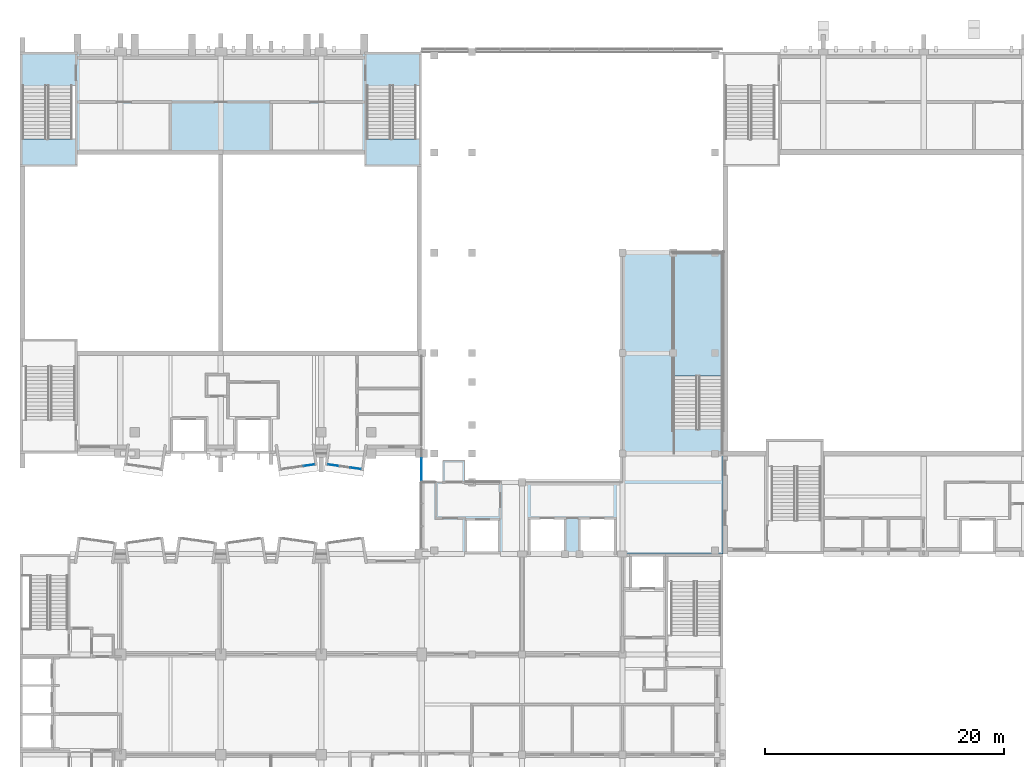
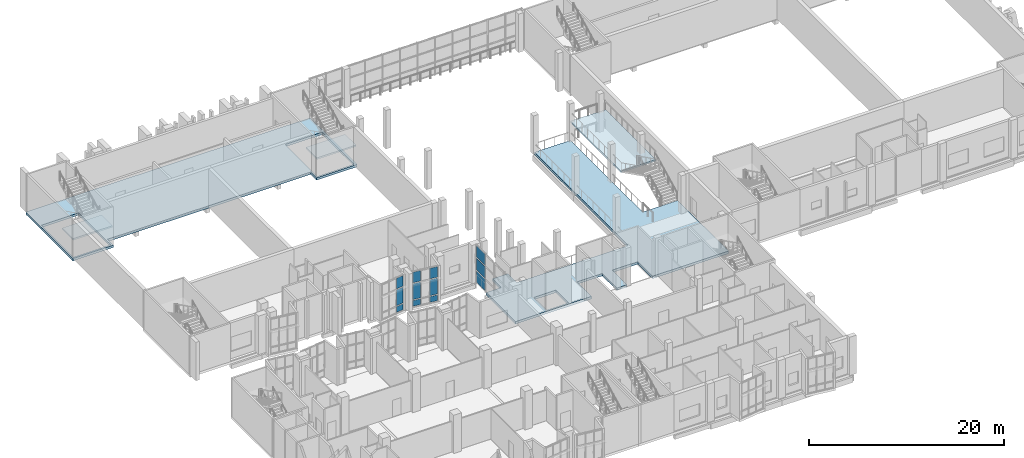
# One storey, part 23 of 91: 12 plates, 5 slabs, 6 elements without a shape of their own.
"""IFC4 building model written with IfcOpenShell, lengths in metres."""

from ifc_helpers import new_model, si_unit, direction, frame, origin, origin_2d, place, context, subcontext, project, spatial, polyline, rectangle, outline, extrude, material, layer, layer_set, type_object, element, aggregate, save


model = new_model("IFC4")

# Units and contexts
model_context = context("Model", 3, precision=1e-05, world=origin(), true_north=direction((0.0, 1.0)))
body_context = subcontext(model_context, "Body", "Model", "MODEL_VIEW")
ifc_project = project(units=[si_unit("LENGTHUNIT", "METRE"), si_unit("AREAUNIT", "SQUARE_METRE"), si_unit("VOLUMEUNIT", "CUBIC_METRE"), si_unit("PLANEANGLEUNIT", "RADIAN"), si_unit("MASSUNIT", "GRAM", prefix="KILO")], contexts=[model_context])

# Site, building, storey
site_placement = place(None, origin())
site = spatial("IfcSite", under=ifc_project, at=site_placement, CompositionType="ELEMENT")
building_placement = place(site_placement, origin())
building = spatial("IfcBuilding", under=site, at=building_placement, Name="Kiln Court Media Centre", CompositionType="ELEMENT")
storey_placement = place(building_placement, frame((0.0, 0.0, 5.39990234375)))
storey = spatial("IfcBuildingStorey", under=building, at=storey_placement, Name="L01", CompositionType="ELEMENT", Elevation=5.39990234375)

# Slabs
ifc_material_1 = material(Name="Concrete C30/37", Category="concrete")
ifc_layer_1 = layer(ifc_material_1, 0.300048828125)
ifc_layer_set_1 = layer_set([ifc_layer_1], Name="Concrete C30/37 floor slab 300")
slab_type_1 = type_object("IfcSlabType", Name="Concrete C30/37 floor slab 300", PredefinedType="FLOOR", material=ifc_layer_set_1)
slab_1_placement = place(storey_placement, frame((0.0, 0.0, -0.2998046875)))
element("IfcSlab", 1, at=slab_1_placement, inside=storey, type_object=slab_type_1, Name="L01-SL-1003", PredefinedType="FLOOR", context=body_context, shape_type="SweptSolid", body=[
    extrude(outline(polyline([(0.0, 57.60009765625), (0.0, 67.199951171875), (33.60009765625, 67.199951171875), (33.60009765625, 57.60009765625), (28.800048828125, 57.60009765625), (28.800048828125, 58.800048828125), (4.800048828125, 58.800048828125), (4.800048828125, 57.60009765625), (0.0, 57.60009765625)]), holes=[polyline([(0.199951171875, 57.800048828125), (4.60009765625, 57.800048828125), (4.60009765625, 64.360107421875), (0.199951171875, 64.360107421875), (0.199951171875, 57.800048828125)]), polyline([(29.0, 57.800048828125), (33.39990234375, 57.800048828125), (33.39990234375, 64.360107421875), (29.0, 64.360107421875), (29.0, 57.800048828125)])]), origin(), (0.0, 0.0, 1.0), 0.2998046875),
])
slab_2_placement = place(storey_placement, frame((0.0, 0.0, -0.2998046875)))
element("IfcSlab", 2, at=slab_2_placement, inside=storey, type_object=slab_type_1, Name="L01-SL-1004", PredefinedType="FLOOR", context=body_context, shape_type="SweptSolid", body=[
    extrude(outline(polyline([(33.60009765625, 25.199951171875), (33.60009765625, 31.199951171875), (35.39990234375, 31.199951171875), (35.39990234375, 33.0), (37.199951171875, 33.0), (37.199951171875, 31.199951171875), (50.39990234375, 31.199951171875), (50.39990234375, 50.39990234375), (54.64990234375, 50.39990234375), (54.64990234375, 35.639892578125), (58.800048828125, 35.639892578125), (58.800048828125, 25.199951171875), (49.800048828125, 25.199951171875), (49.800048828125, 28.199951171875), (46.800048828125, 28.199951171875), (46.800048828125, 25.199951171875), (45.60009765625, 25.199951171875), (45.60009765625, 28.199951171875), (42.60009765625, 28.199951171875), (42.60009765625, 25.199951171875), (33.60009765625, 25.199951171875)]), holes=[polyline([(37.39990234375, 25.39990234375), (40.0, 25.39990234375), (40.0, 28.0), (37.39990234375, 28.0), (37.39990234375, 25.39990234375)])]), origin(), (0.0, 0.0, 1.0), 0.2998046875),
])

# Stair, slab
ifc_material_2 = material(Name="Concrete C40/50", Category="concrete")
stair_type = type_object("IfcStairType", Name="Concrete C40/50 dog-leg stair 2000 wide, 150 riser", PredefinedType="HALF_TURN_STAIR", material=ifc_material_2)
stair_1_placement = place(storey_placement, origin())
stair_1 = element("IfcStair", 3, at=stair_1_placement, inside=storey, type_object=stair_type, Name="ST-07 L01", PredefinedType="HALF_TURN_STAIR")
ifc_material_3 = material(Name="Concrete C40/50", Category="concrete")
ifc_layer_2 = layer(ifc_material_3, 0.199951171875)
ifc_layer_set_2 = layer_set([ifc_layer_2], Name="Concrete C40/50 stair landing 200")
slab_type_2 = type_object("IfcSlabType", Name="Concrete C40/50 stair landing 200", PredefinedType="LANDING", material=ifc_layer_set_2)
slab_3_placement = place(storey_placement, frame((0.0, 0.0, 2.2001953125)))
slab_3 = element("IfcSlab", 4, at=slab_3_placement, type_object=slab_type_2, Name="L01-ST-5006 landing 5006", PredefinedType="LANDING", context=body_context, shape_type="SweptSolid", body=[
    extrude(outline(polyline([(0.080078125, 59.89990234375), (0.080078125, 57.679931640625), (4.719970703125, 57.679931640625), (4.719970703125, 59.89990234375), (0.080078125, 59.89990234375)])), origin(), (0.0, 0.0, 1.0), 0.199951171875),
])
aggregate(stair_1, [slab_3])

stair_2_placement = place(storey_placement, origin())
stair_2 = element("IfcStair", 5, at=stair_2_placement, inside=storey, type_object=stair_type, Name="ST-08 L01", PredefinedType="HALF_TURN_STAIR")
slab_4_placement = place(storey_placement, frame((0.0, 0.0, 2.2001953125)))
slab_4 = element("IfcSlab", 6, at=slab_4_placement, type_object=slab_type_2, Name="L01-ST-5007 landing 5007", PredefinedType="LANDING", context=body_context, shape_type="SweptSolid", body=[
    extrude(outline(polyline([(28.8798828125, 59.89990234375), (28.8798828125, 57.679931640625), (33.52001953125, 57.679931640625), (33.52001953125, 59.89990234375), (28.8798828125, 59.89990234375)])), origin(), (0.0, 0.0, 1.0), 0.199951171875),
])
aggregate(stair_2, [slab_4])

stair_3_placement = place(storey_placement, origin())
stair_3 = element("IfcStair", 7, at=stair_3_placement, inside=storey, type_object=stair_type, Name="ST-F1 L01", PredefinedType="HALF_TURN_STAIR")
slab_5_placement = place(storey_placement, frame((0.0, 0.0, 2.2001953125)))
slab_5 = element("IfcSlab", 8, at=slab_5_placement, type_object=slab_type_2, Name="L01-ST-5017 landing 5017", PredefinedType="LANDING", context=body_context, shape_type="SweptSolid", body=[
    extrude(outline(polyline([(58.800048828125, 40.10009765625), (58.800048828125, 50.39990234375), (54.64990234375, 50.39990234375), (54.64990234375, 40.10009765625), (58.800048828125, 40.10009765625)])), origin(), (0.0, 0.0, 1.0), 0.199951171875),
])
aggregate(stair_3, [slab_5])

# Curtain wall, plate
ifc_material_4 = material(Name="Aluminium 6063-T6", Category="aluminium")
ifc_layer_3 = layer(ifc_material_4, 0.1201171875)
ifc_layer_set_3 = layer_set([ifc_layer_3], Name="Aluminium unitised bay curtain wall")
curtain_wall_type_1 = type_object("IfcCurtainWallType", Name="Aluminium unitised bay curtain wall", PredefinedType="USERDEFINED", material=ifc_layer_set_3)
curtain_wall_1_placement = place(storey_placement, origin())
curtain_wall_1 = element("IfcCurtainWall", 9, at=curtain_wall_1_placement, inside=storey, type_object=curtain_wall_type_1, Name="BAY V4-S-L01-06 front", ObjectType="UNITISED CURTAIN WALL", PredefinedType="USERDEFINED")
ifc_material_5 = material(Name="Aluminium insulated spandrel", Category="aluminium")
ifc_layer_4 = layer(ifc_material_5, 0.028076171875)
ifc_layer_set_4 = layer_set([ifc_layer_4], Name="Insulated spandrel panel 28")
plate_type_1 = type_object("IfcPlateType", Name="Insulated spandrel panel 28", PredefinedType="CURTAIN_PANEL", material=ifc_layer_set_4)
plate_1_placement = place(storey_placement, frame((24.1884765625, 32.621826171875, 0.1201171875), z_axis=(0.0, 0.0, 1.0), x_axis=(0.990269562409, 0.139162472554, 0.0)))
plate_1 = element("IfcPlate", 10, at=plate_1_placement, type_object=plate_type_1, Name="CW1-02 panel 3.1", PredefinedType="CURTAIN_PANEL", context=body_context, shape_type="SweptSolid", body=[
    extrude(rectangle(XDim=0.86669921875, YDim=0.028076171875, at=origin_2d()), origin(), (0.0, 0.0, 1.0), 0.719970703125),
])

# Curtain wall, plates
curtain_wall_2_placement = place(storey_placement, origin())
curtain_wall_2 = element("IfcCurtainWall", 11, at=curtain_wall_2_placement, inside=storey, type_object=curtain_wall_type_1, Name="BAY V4-S-L01-07 front", ObjectType="UNITISED CURTAIN WALL", PredefinedType="USERDEFINED")
plate_2_placement = place(storey_placement, frame((26.211669921875, 32.621826171875, 0.1201171875), z_axis=(0.0, 0.0, 1.0), x_axis=(0.990269562409, -0.139162472554, 0.0)))
plate_2 = element("IfcPlate", 12, at=plate_2_placement, type_object=plate_type_1, Name="CW1-03 panel 1.1", PredefinedType="CURTAIN_PANEL", context=body_context, shape_type="SweptSolid", body=[
    extrude(rectangle(XDim=0.86669921875, YDim=0.028076171875, at=origin_2d()), origin(), (0.0, 0.0, 1.0), 0.719970703125),
])
plate_3_placement = place(storey_placement, frame((28.07666015625, 32.35986328125, 0.1201171875), z_axis=(0.0, 0.0, 1.0), x_axis=(0.990269562409, -0.139162472554, 0.0)))
plate_3 = element("IfcPlate", 13, at=plate_3_placement, type_object=plate_type_1, Name="CW1-03 panel 3.1", PredefinedType="CURTAIN_PANEL", context=body_context, shape_type="SweptSolid", body=[
    extrude(rectangle(XDim=0.86669921875, YDim=0.028076171875, at=origin_2d()), origin(), (0.0, 0.0, 1.0), 0.719970703125),
])

ifc_material_6 = material(Name="Aluminium 6063-T6", Category="aluminium")
ifc_layer_5 = layer(ifc_material_6, 0.1201171875)
ifc_layer_set_5 = layer_set([ifc_layer_5], Name="Aluminium stick curtain wall, gallery")
curtain_wall_type_2 = type_object("IfcCurtainWallType", Name="Aluminium stick curtain wall, gallery", PredefinedType="USERDEFINED", material=ifc_layer_set_5)
curtain_wall_3_placement = place(storey_placement, origin())
curtain_wall_3 = element("IfcCurtainWall", 14, at=curtain_wall_3_placement, inside=storey, type_object=curtain_wall_type_2, Name="Foyer west glazing L01", ObjectType="STICK CURTAIN WALL", PredefinedType="USERDEFINED")
ifc_material_7 = material(Name="Laminated low-E glazing", Category="glass")
ifc_layer_6 = layer(ifc_material_7, 0.033935546875)
ifc_layer_set_6 = layer_set([ifc_layer_6], Name="Laminated low-E glazed panel 34")
plate_type_2 = type_object("IfcPlateType", Name="Laminated low-E glazed panel 34", PredefinedType="CURTAIN_PANEL", material=ifc_layer_set_6)
plate_4_placement = place(storey_placement, frame((33.60009765625, 32.27880859375, 0.14013671875), z_axis=(0.0, 0.0, 1.0), x_axis=(0.0, 1.0, 0.0)))
plate_4 = element("IfcPlate", 15, at=plate_4_placement, type_object=plate_type_2, Name="CW1-62 panel 4.1", PredefinedType="CURTAIN_PANEL", context=body_context, shape_type="SweptSolid", body=[
    extrude(rectangle(XDim=1.822509765625, YDim=0.033935546875, at=origin_2d()), origin(), (0.0, 0.0, 1.0), 1.389892578125),
])
plate_5_placement = place(storey_placement, frame((33.60009765625, 32.27880859375, 1.670166015625), z_axis=(0.0, 0.0, 1.0), x_axis=(0.0, 1.0, 0.0)))
plate_5 = element("IfcPlate", 16, at=plate_5_placement, type_object=plate_type_2, Name="CW1-62 panel 4.2", PredefinedType="CURTAIN_PANEL", context=body_context, shape_type="SweptSolid", body=[
    extrude(rectangle(XDim=1.822509765625, YDim=0.033935546875, at=origin_2d()), origin(), (0.0, 0.0, 1.0), 1.4599609375),
])
plate_6_placement = place(storey_placement, frame((33.60009765625, 32.27880859375, 3.27001953125), z_axis=(0.0, 0.0, 1.0), x_axis=(0.0, 1.0, 0.0)))
plate_6 = element("IfcPlate", 17, at=plate_6_placement, type_object=plate_type_2, Name="CW1-62 panel 4.3", PredefinedType="CURTAIN_PANEL", context=body_context, shape_type="SweptSolid", body=[
    extrude(rectangle(XDim=1.822509765625, YDim=0.033935546875, at=origin_2d()), origin(), (0.0, 0.0, 1.0), 1.389892578125),
])
aggregate(curtain_wall_3, [plate_4, plate_5, plate_6])

# Plate
ifc_material_8 = material(Name="Low-E double glazing", Category="glass")
ifc_layer_7 = layer(ifc_material_8, 0.028076171875)
ifc_layer_set_7 = layer_set([ifc_layer_7], Name="Low-E double glazed panel 28")
plate_type_3 = type_object("IfcPlateType", Name="Low-E double glazed panel 28", PredefinedType="CURTAIN_PANEL", material=ifc_layer_set_7)
plate_7_placement = place(storey_placement, frame((24.1884765625, 32.621826171875, 0.960205078125), z_axis=(0.0, 0.0, 1.0), x_axis=(0.990269562409, 0.139162472554, 0.0)))
plate_7 = element("IfcPlate", 18, at=plate_7_placement, type_object=plate_type_3, Name="CW1-02 panel 3.2", PredefinedType="CURTAIN_PANEL", context=body_context, shape_type="SweptSolid", body=[
    extrude(rectangle(XDim=0.86669921875, YDim=0.028076171875, at=origin_2d()), origin(), (0.0, 0.0, 1.0), 1.97998046875),
])

plate_8_placement = place(storey_placement, frame((24.1884765625, 32.621826171875, 3.06005859375), z_axis=(0.0, 0.0, 1.0), x_axis=(0.990269562409, 0.139162472554, 0.0)))
plate_8 = element("IfcPlate", 19, at=plate_8_placement, type_object=plate_type_3, Name="CW1-02 panel 3.3", PredefinedType="CURTAIN_PANEL", context=body_context, shape_type="SweptSolid", body=[
    extrude(rectangle(XDim=0.86669921875, YDim=0.028076171875, at=origin_2d()), origin(), (0.0, 0.0, 1.0), 1.320068359375),
])

aggregate(curtain_wall_1, [plate_1, plate_7, plate_8])

plate_9_placement = place(storey_placement, frame((26.211669921875, 32.621826171875, 0.960205078125), z_axis=(0.0, 0.0, 1.0), x_axis=(0.990269562409, -0.139162472554, 0.0)))
plate_9 = element("IfcPlate", 20, at=plate_9_placement, type_object=plate_type_3, Name="CW1-03 panel 1.2", PredefinedType="CURTAIN_PANEL", context=body_context, shape_type="SweptSolid", body=[
    extrude(rectangle(XDim=0.86669921875, YDim=0.028076171875, at=origin_2d()), origin(), (0.0, 0.0, 1.0), 1.97998046875),
])

plate_10_placement = place(storey_placement, frame((26.211669921875, 32.621826171875, 3.06005859375), z_axis=(0.0, 0.0, 1.0), x_axis=(0.990269562409, -0.139162472554, 0.0)))
plate_10 = element("IfcPlate", 21, at=plate_10_placement, type_object=plate_type_3, Name="CW1-03 panel 1.3", PredefinedType="CURTAIN_PANEL", context=body_context, shape_type="SweptSolid", body=[
    extrude(rectangle(XDim=0.86669921875, YDim=0.028076171875, at=origin_2d()), origin(), (0.0, 0.0, 1.0), 1.320068359375),
])

plate_11_placement = place(storey_placement, frame((28.07666015625, 32.35986328125, 0.960205078125), z_axis=(0.0, 0.0, 1.0), x_axis=(0.990269562409, -0.139162472554, 0.0)))
plate_11 = element("IfcPlate", 22, at=plate_11_placement, type_object=plate_type_3, Name="CW1-03 panel 3.2", PredefinedType="CURTAIN_PANEL", context=body_context, shape_type="SweptSolid", body=[
    extrude(rectangle(XDim=0.86669921875, YDim=0.028076171875, at=origin_2d()), origin(), (0.0, 0.0, 1.0), 1.97998046875),
])

plate_12_placement = place(storey_placement, frame((28.07666015625, 32.35986328125, 3.06005859375), z_axis=(0.0, 0.0, 1.0), x_axis=(0.990269562409, -0.139162472554, 0.0)))
plate_12 = element("IfcPlate", 23, at=plate_12_placement, type_object=plate_type_3, Name="CW1-03 panel 3.3", PredefinedType="CURTAIN_PANEL", context=body_context, shape_type="SweptSolid", body=[
    extrude(rectangle(XDim=0.86669921875, YDim=0.028076171875, at=origin_2d()), origin(), (0.0, 0.0, 1.0), 1.320068359375),
])

aggregate(curtain_wall_2, [plate_2, plate_9, plate_10, plate_3, plate_11, plate_12])

save(model, "model.ifc")
